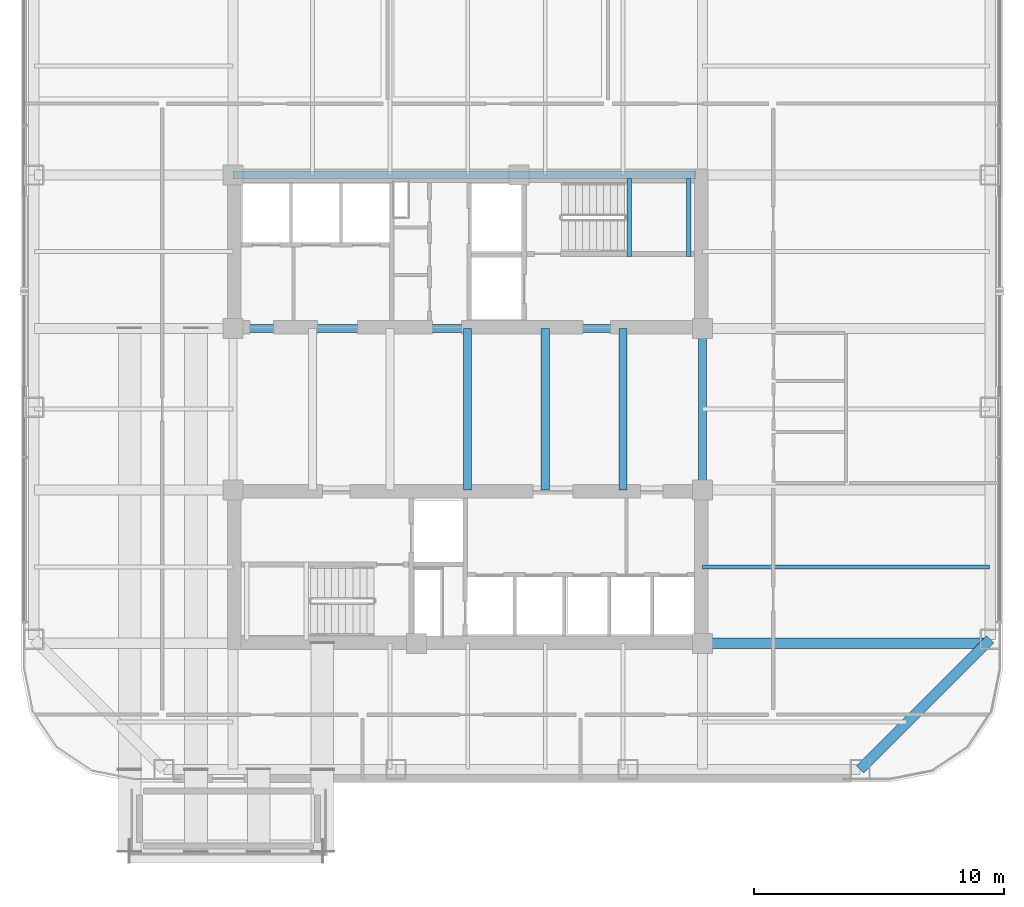
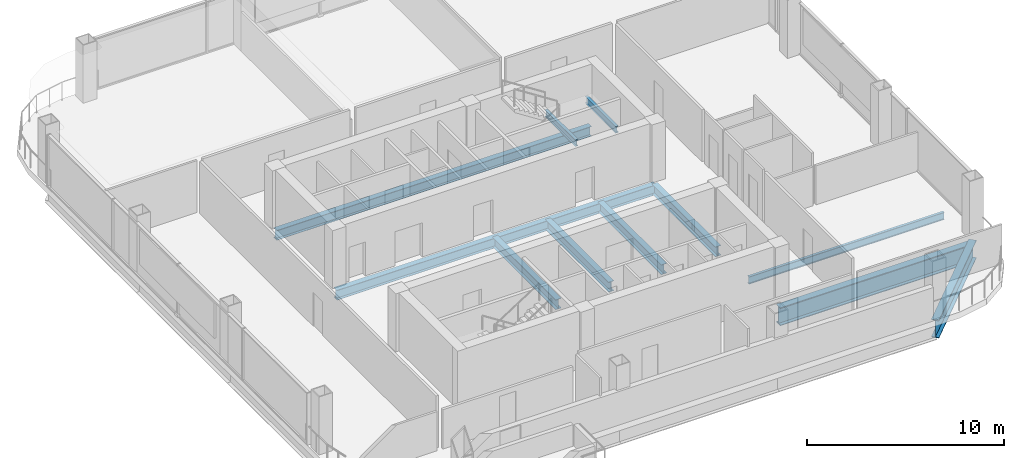
# One storey, part 6 of 20: 11 beams.
"""IFC4 building model written with IfcOpenShell, lengths in metres."""

from ifc_helpers import new_model, si_unit, direction, frame, origin, origin_2d, place, context, subcontext, project, spatial, i_section, extrude, material, material_profile, profile_set, type_object, element, save


model = new_model("IFC4")

# Units and contexts
model_context = context("Model", 3, precision=1e-05, world=origin(), true_north=direction((0.0, 1.0)))
body_context = subcontext(model_context, "Body", "Model", "MODEL_VIEW")
ifc_project = project(units=[si_unit("LENGTHUNIT", "METRE"), si_unit("AREAUNIT", "SQUARE_METRE"), si_unit("VOLUMEUNIT", "CUBIC_METRE"), si_unit("PLANEANGLEUNIT", "RADIAN"), si_unit("MASSUNIT", "GRAM", prefix="KILO")], contexts=[model_context])

# Site, building, storey
site_placement = place(None, origin())
site = spatial("IfcSite", under=ifc_project, at=site_placement, CompositionType="ELEMENT")
building_placement = place(site_placement, origin())
building = spatial("IfcBuilding", under=site, at=building_placement, Name="Qhalaya Broadcast Tower", CompositionType="ELEMENT")
storey_placement = place(building_placement, frame((0.0, 0.0, 104.85009765625)))
storey = spatial("IfcBuildingStorey", under=building, at=storey_placement, Name="L30", CompositionType="ELEMENT", Elevation=104.85009765625)

# Beams
ifc_material = material(Name="Structural Steel ASTM A992 Grade 50", Category="steel")
ifc_material_profile_1 = material_profile(ifc_material, i_section(OverallWidth=0.154052734375, OverallDepth=0.458984375, WebThickness=0.009033203125, FlangeThickness=0.015380859375, at=origin_2d()), Name="W18X46")
ifc_profile_set_1 = profile_set([ifc_material_profile_1], Name="Structural Steel ASTM A992 Grade 50")
beam_type_1 = type_object("IfcBeamType", Name="Composite Floor Joist J04", PredefinedType="JOIST", material=ifc_profile_set_1)
beam_1_placement = place(storey_placement, frame((9.375, -5.699951171875, -0.609619140625), z_axis=(1.0, 0.0, 0.0), x_axis=(0.0, 1.0, 0.0)))
element("IfcBeam", 1, at=beam_1_placement, inside=storey, type_object=beam_type_1, Name="L30 J04 L30-JWE3E-1", PredefinedType="JOIST", context=body_context, shape_type="SweptSolid", body=[
    extrude(i_section(OverallWidth=0.154052734375, OverallDepth=0.458984375, WebThickness=0.009033203125, FlangeThickness=0.015380859375, at=origin_2d()), origin(), (0.0, 0.0, 1.0), 11.47509765625),
])
ifc_material_profile_2 = material_profile(ifc_material, i_section(OverallWidth=0.323974609375, OverallDepth=0.612060546875, WebThickness=0.0126953125, FlangeThickness=0.01904296875, at=origin_2d()), Name="W24X104")
ifc_profile_set_2 = profile_set([ifc_material_profile_2], Name="Structural Steel ASTM A992 Grade 50")
beam_type_2 = type_object("IfcBeamType", Name="Core Frame Tie Beam B04", PredefinedType="BEAM", material=ifc_profile_set_2)
beam_2_placement = place(storey_placement, frame((-9.375, 3.824951171875, -0.68603515625), z_axis=(1.0, 0.0, 0.0), x_axis=(0.0, 1.0, 0.0)))
element("IfcBeam", 2, at=beam_2_placement, inside=storey, type_object=beam_type_2, Name="L30 B04 L30-CCN1", PredefinedType="BEAM", context=body_context, shape_type="SweptSolid", body=[
    extrude(i_section(OverallWidth=0.323974609375, OverallDepth=0.612060546875, WebThickness=0.0126953125, FlangeThickness=0.01904296875, at=origin_2d()), origin(), (0.0, 0.0, 1.0), 18.75),
])
beam_3_placement = place(storey_placement, frame((-9.375, 9.949951171875, -0.68603515625), z_axis=(1.0, 0.0, 0.0), x_axis=(0.0, 1.0, 0.0)))
element("IfcBeam", 3, at=beam_3_placement, inside=storey, type_object=beam_type_2, Name="L30 B04 L30-CCN3", PredefinedType="BEAM", context=body_context, shape_type="SweptSolid", body=[
    extrude(i_section(OverallWidth=0.323974609375, OverallDepth=0.612060546875, WebThickness=0.0126953125, FlangeThickness=0.01904296875, at=origin_2d()), origin(), (0.0, 0.0, 1.0), 18.4951171875),
])
for number, where, z_axis, x_axis, name in (
    (4, (9.375, -2.625, -0.68603515625), (0.0, 1.0, 0.0), (-1.0, 0.0, 0.0), "L30 B04 L30-CCE"),
    (5, (0.0, -2.625, -0.68603515625), (0.0, 1.0, 0.0), (-1.0, 0.0, 0.0), "L30 B04 L30-JC3-1"),
    (6, (3.10009765625, -2.625, -0.68603515625), (0.0, 1.0, 0.0), (-1.0, 0.0, 0.0), "L30 B04 L30-JC4-1"),
    (7, (6.199951171875, -2.625, -0.68603515625), (0.0, 1.0, 0.0), (-1.0, 0.0, 0.0), "L30 B04 L30-JC5-1"),
):
    element("IfcBeam", number, at=place(storey_placement, frame(where, z_axis=z_axis, x_axis=x_axis)), inside=storey, type_object=beam_type_2, Name=name, PredefinedType="BEAM", context=body_context, shape_type="SweptSolid", body=[
        extrude(i_section(OverallWidth=0.323974609375, OverallDepth=0.612060546875, WebThickness=0.0126953125, FlangeThickness=0.01904296875, at=origin_2d()), origin(), (0.0, 0.0, 1.0), 6.449951171875),
    ])
ifc_material_profile_3 = material_profile(ifc_material, i_section(OverallWidth=0.404052734375, OverallDepth=1.117919921875, WebThickness=0.026123046875, FlangeThickness=0.044921875, at=origin_2d()), Name="W44X335")
ifc_profile_set_3 = profile_set([ifc_material_profile_3], Name="Structural Steel ASTM A992 Grade 50")
beam_type_3 = type_object("IfcBeamType", Name="Podium Long-Span Primary Girder PG1", PredefinedType="USERDEFINED", material=ifc_profile_set_3)
beam_4_placement = place(storey_placement, frame((15.669921875, -13.7900390625, -0.939208984375), z_axis=(0.707123380132, 0.707090181851, 0.0), x_axis=(-0.707090181851, 0.707123380132, 0.0)))
element("IfcBeam", 8, at=beam_4_placement, inside=storey, type_object=beam_type_3, Name="L30 PG1 L30-SPR-04", ObjectType="GIRDER", PredefinedType="USERDEFINED", context=body_context, shape_type="SweptSolid", body=[
    extrude(i_section(OverallWidth=0.404052734375, OverallDepth=1.117919921875, WebThickness=0.026123046875, FlangeThickness=0.044921875, at=origin_2d()), origin(), (0.0, 0.0, 1.0), 7.35400390625),
])
beam_5_placement = place(storey_placement, frame((9.375, -8.75, -0.939208984375), z_axis=(1.0, 0.0, 0.0), x_axis=(0.0, 1.0, 0.0)))
element("IfcBeam", 9, at=beam_5_placement, inside=storey, type_object=beam_type_3, Name="L30 PG1 L30-PGYE1-1", ObjectType="GIRDER", PredefinedType="USERDEFINED", context=body_context, shape_type="SweptSolid", body=[
    extrude(i_section(OverallWidth=0.404052734375, OverallDepth=1.117919921875, WebThickness=0.026123046875, FlangeThickness=0.044921875, at=origin_2d()), origin(), (0.0, 0.0, 1.0), 11.306640625),
])
ifc_material_profile_4 = material_profile(ifc_material, i_section(OverallWidth=0.177978515625, OverallDepth=0.406005859375, WebThickness=0.0078125, FlangeThickness=0.0126953125, at=origin_2d()), Name="W16X40")
ifc_profile_set_4 = profile_set([ifc_material_profile_4], Name="Structural Steel ASTM A992 Grade 50")
beam_type_4 = type_object("IfcBeamType", Name="Upper Perimeter Spandrel Beam SP2", PredefinedType="SPANDREL", material=ifc_profile_set_4)
for number, where, z_axis, x_axis, name in (
    (10, (6.455078125, 6.699951171875, 1.39697265625), (0.0, 1.0, 0.0), (-1.0, 0.0, 0.0), "L30 ST-1 Half-Landing Bearer Beam 1"),
    (11, (8.830078125, 6.699951171875, 1.39697265625), (0.0, 1.0, 0.0), (-1.0, 0.0, 0.0), "L30 ST-1 Half-Landing Bearer Beam 2"),
):
    element("IfcBeam", number, at=place(storey_placement, frame(where, z_axis=z_axis, x_axis=x_axis)), inside=storey, type_object=beam_type_4, Name=name, PredefinedType="SPANDREL", context=body_context, shape_type="SweptSolid", body=[
        extrude(i_section(OverallWidth=0.177978515625, OverallDepth=0.406005859375, WebThickness=0.0078125, FlangeThickness=0.0126953125, at=origin_2d()), origin(), (0.0, 0.0, 1.0), 3.1201171875),
    ])

save(model, "model.ifc")
